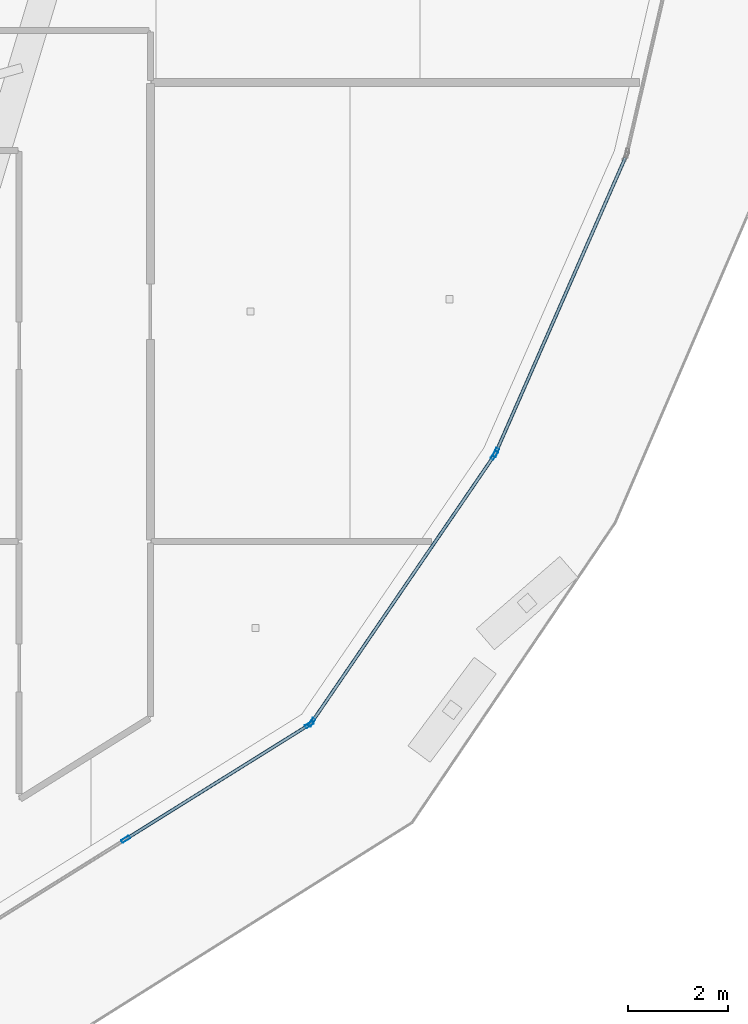
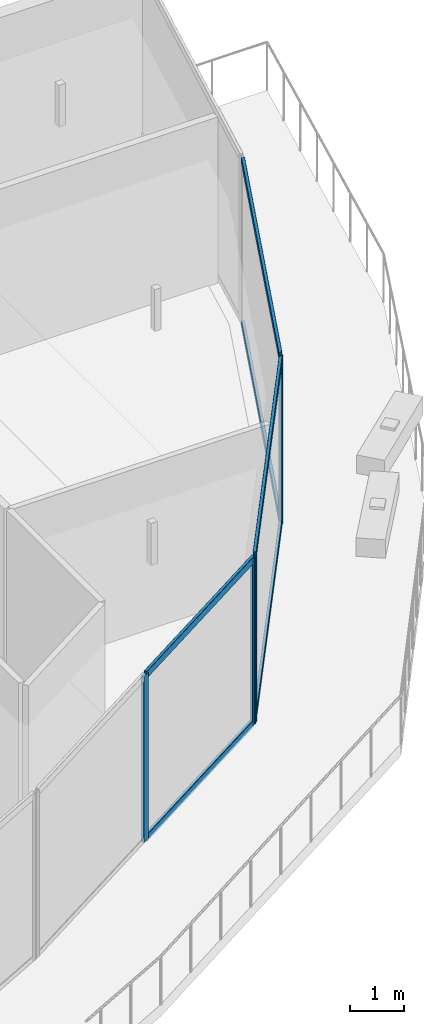
# One storey, part 9 of 35: 11 members, 3 elements without a shape of their own.
"""IFC4 building model written with IfcOpenShell, lengths in metres."""

from ifc_helpers import new_model, si_unit, direction, frame, origin, origin_2d, place, context, subcontext, project, spatial, hollow_rectangle, extrude, material, layer, layer_set, material_profile, profile_set, type_object, element, aggregate, save


model = new_model("IFC4")

# Units and contexts
model_context = context("Model", 3, precision=1e-05, world=origin(), true_north=direction((0.0, 1.0)))
body_context = subcontext(model_context, "Body", "Model", "MODEL_VIEW")
ifc_project = project(units=[si_unit("LENGTHUNIT", "METRE"), si_unit("AREAUNIT", "SQUARE_METRE"), si_unit("VOLUMEUNIT", "CUBIC_METRE"), si_unit("PLANEANGLEUNIT", "RADIAN"), si_unit("MASSUNIT", "GRAM", prefix="KILO")], contexts=[model_context])

# Site, building, storey
site_placement = place(None, origin())
site = spatial("IfcSite", under=ifc_project, at=site_placement, CompositionType="ELEMENT")
building_placement = place(site_placement, origin())
building = spatial("IfcBuilding", under=site, at=building_placement, Name="Qorvath Tower", CompositionType="ELEMENT")
storey_placement = place(building_placement, frame((0.0, 0.0, 166.5)))
storey = spatial("IfcBuildingStorey", under=building, at=storey_placement, Name="L38", CompositionType="ELEMENT", Elevation=166.5)

# Curtain wall, members
ifc_material_1 = material(Name="Anodised aluminium and triple low-E glass", Category="aluminium")
ifc_layer = layer(ifc_material_1, 0.179931640625)
ifc_layer_set = layer_set([ifc_layer], Name="CW-SYS-3")
curtain_wall_type = type_object("IfcCurtainWallType", Name="CW-SYS-3", PredefinedType="NOTDEFINED", material=ifc_layer_set)
curtain_wall_1_placement = place(storey_placement, origin())
curtain_wall_1 = element("IfcCurtainWall", 1, at=curtain_wall_1_placement, inside=storey, type_object=curtain_wall_type, Name="Curtain Wall CW-3 CW-T-L38-4.1", PredefinedType="NOTDEFINED")
ifc_material_2 = material(Name="Anodised aluminium 6063-T6", Category="aluminium")
ifc_material_profile_1 = material_profile(ifc_material_2, hollow_rectangle(XDim=0.06494140625, YDim=0.179931640625, WallThickness=0.00341796875, InnerFilletRadius=0.00341796875, OuterFilletRadius=0.007080078125, at=origin_2d()), Name="CWM 180x65")
ifc_profile_set_1 = profile_set([ifc_material_profile_1], Name="Anodised aluminium 6063-T6")
member_type_1 = type_object("IfcMemberType", Name="CWM-180", PredefinedType="MULLION", material=ifc_profile_set_1)
member_1_placement = place(storey_placement, frame((-8.484619140625, -24.669921875, 0.0), z_axis=(0.0, 0.0, 1.0), x_axis=(-0.529328282744, 0.848417096178, 0.0)))
member_1 = element("IfcMember", 2, at=member_1_placement, type_object=member_type_1, Name="CW-3 mullion 2", PredefinedType="MULLION", context=body_context, shape_type="SweptSolid", body=[
    extrude(hollow_rectangle(XDim=0.06494140625, YDim=0.179931640625, WallThickness=0.00341796875, InnerFilletRadius=0.00341796875, OuterFilletRadius=0.007080078125, at=origin_2d()), origin(), (0.0, 0.0, 1.0), 3.780029296875),
])
member_2_placement = place(storey_placement, frame((-4.826904296875, -22.387939453125, 0.0), z_axis=(0.0, 0.0, 1.0), x_axis=(-0.529328282744, 0.848417096178, 0.0)))
member_2 = element("IfcMember", 3, at=member_2_placement, type_object=member_type_1, Name="CW-3 mullion 3", PredefinedType="MULLION", context=body_context, shape_type="SweptSolid", body=[
    extrude(hollow_rectangle(XDim=0.06494140625, YDim=0.179931640625, WallThickness=0.00341796875, InnerFilletRadius=0.00341796875, OuterFilletRadius=0.007080078125, at=origin_2d()), origin(), (0.0, 0.0, 1.0), 3.780029296875),
])

curtain_wall_2_placement = place(storey_placement, origin())
curtain_wall_2 = element("IfcCurtainWall", 4, at=curtain_wall_2_placement, inside=storey, type_object=curtain_wall_type, Name="Curtain Wall CW-3 CW-T-L38-5.1", PredefinedType="NOTDEFINED")
member_3_placement = place(storey_placement, frame((-4.781005859375, -22.343994140625, 0.0), z_axis=(0.0, 0.0, 1.0), x_axis=(-0.82552478625, 0.564365862971, 0.0)))
member_3 = element("IfcMember", 5, at=member_3_placement, type_object=member_type_1, Name="CW-3 mullion 1", PredefinedType="MULLION", context=body_context, shape_type="SweptSolid", body=[
    extrude(hollow_rectangle(XDim=0.06494140625, YDim=0.179931640625, WallThickness=0.00341796875, InnerFilletRadius=0.00341796875, OuterFilletRadius=0.007080078125, at=origin_2d()), origin(), (0.0, 0.0, 1.0), 3.780029296875),
])
member_4_placement = place(storey_placement, frame((-1.146728515625, -17.028076171875, 0.0), z_axis=(0.0, 0.0, 1.0), x_axis=(-0.82552478625, 0.564365862971, 0.0)))
member_4 = element("IfcMember", 6, at=member_4_placement, type_object=member_type_1, Name="CW-3 mullion 2", PredefinedType="MULLION", context=body_context, shape_type="SweptSolid", body=[
    extrude(hollow_rectangle(XDim=0.06494140625, YDim=0.179931640625, WallThickness=0.00341796875, InnerFilletRadius=0.00341796875, OuterFilletRadius=0.007080078125, at=origin_2d()), origin(), (0.0, 0.0, 1.0), 3.780029296875),
])

# Curtain wall, member
curtain_wall_3_placement = place(storey_placement, origin())
curtain_wall_3 = element("IfcCurtainWall", 7, at=curtain_wall_3_placement, inside=storey, type_object=curtain_wall_type, Name="Curtain Wall CW-3 CW-T-L38-6.1", PredefinedType="NOTDEFINED")
member_5_placement = place(storey_placement, frame((-1.115234375, -16.971435546875, 0.0), z_axis=(0.0, 0.0, 1.0), x_axis=(-0.915629399612, 0.402023385597, 0.0)))
member_5 = element("IfcMember", 8, at=member_5_placement, type_object=member_type_1, Name="CW-3 mullion 1", PredefinedType="MULLION", context=body_context, shape_type="SweptSolid", body=[
    extrude(hollow_rectangle(XDim=0.06494140625, YDim=0.179931640625, WallThickness=0.00341796875, InnerFilletRadius=0.00341796875, OuterFilletRadius=0.007080078125, at=origin_2d()), origin(), (0.0, 0.0, 1.0), 3.780029296875),
])

# Member
ifc_material_3 = material(Name="Anodised aluminium 6063-T6", Category="aluminium")
ifc_material_profile_2 = material_profile(ifc_material_3, hollow_rectangle(XDim=0.06494140625, YDim=0.159912109375, WallThickness=0.00341796875, InnerFilletRadius=0.00341796875, OuterFilletRadius=0.007080078125, at=origin_2d()), Name="CWT 160x65")
ifc_profile_set_2 = profile_set([ifc_material_profile_2], Name="Anodised aluminium 6063-T6")
member_type_2 = type_object("IfcMemberType", Name="CWT-160", PredefinedType="USERDEFINED", material=ifc_profile_set_2)
member_6_placement = place(storey_placement, frame((-8.45703125, -24.65283203125, 0.032470703125), z_axis=(0.848424411171, 0.529316557959, 0.0), x_axis=(-0.529316557959, 0.848424411171, 0.0)))
member_6 = element("IfcMember", 9, at=member_6_placement, type_object=member_type_2, Name="CW-3 transom 2.1", ObjectType="TRANSOM", PredefinedType="USERDEFINED", context=body_context, shape_type="SweptSolid", body=[
    extrude(hollow_rectangle(XDim=0.06494140625, YDim=0.159912109375, WallThickness=0.00341796875, InnerFilletRadius=0.00341796875, OuterFilletRadius=0.007080078125, at=origin_2d()), origin(), (0.0, 0.0, 1.0), 4.24609375),
])

member_7_placement = place(storey_placement, frame((-8.45703125, -24.65283203125, 3.74755859375), z_axis=(0.848424411171, 0.529316557959, 0.0), x_axis=(-0.529316557959, 0.848424411171, 0.0)))
member_7 = element("IfcMember", 10, at=member_7_placement, type_object=member_type_2, Name="CW-3 transom 2.2", ObjectType="TRANSOM", PredefinedType="USERDEFINED", context=body_context, shape_type="SweptSolid", body=[
    extrude(hollow_rectangle(XDim=0.06494140625, YDim=0.159912109375, WallThickness=0.00341796875, InnerFilletRadius=0.00341796875, OuterFilletRadius=0.007080078125, at=origin_2d()), origin(), (0.0, 0.0, 1.0), 4.24609375),
])

aggregate(curtain_wall_1, [member_1, member_2, member_6, member_7])

member_8_placement = place(storey_placement, frame((-4.7626953125, -22.317138671875, 0.032470703125), z_axis=(0.564384562589, 0.825512002039, 0.0), x_axis=(-0.825512002039, 0.564384562589, 0.0)))
member_8 = element("IfcMember", 11, at=member_8_placement, type_object=member_type_2, Name="CW-3 transom 1.1", ObjectType="TRANSOM", PredefinedType="USERDEFINED", context=body_context, shape_type="SweptSolid", body=[
    extrude(hollow_rectangle(XDim=0.06494140625, YDim=0.159912109375, WallThickness=0.00341796875, InnerFilletRadius=0.00341796875, OuterFilletRadius=0.007080078125, at=origin_2d()), origin(), (0.0, 0.0, 1.0), 6.37451171875),
])

member_9_placement = place(storey_placement, frame((-4.7626953125, -22.317138671875, 3.74755859375), z_axis=(0.564384562589, 0.825512002039, 0.0), x_axis=(-0.825512002039, 0.564384562589, 0.0)))
member_9 = element("IfcMember", 12, at=member_9_placement, type_object=member_type_2, Name="CW-3 transom 1.2", ObjectType="TRANSOM", PredefinedType="USERDEFINED", context=body_context, shape_type="SweptSolid", body=[
    extrude(hollow_rectangle(XDim=0.06494140625, YDim=0.159912109375, WallThickness=0.00341796875, InnerFilletRadius=0.00341796875, OuterFilletRadius=0.007080078125, at=origin_2d()), origin(), (0.0, 0.0, 1.0), 6.37451171875),
])

aggregate(curtain_wall_2, [member_3, member_4, member_8, member_9])

member_10_placement = place(storey_placement, frame((-1.102294921875, -16.941650390625, 0.032470703125), z_axis=(0.402030003939, 0.915626493682, 0.0), x_axis=(-0.915626493682, 0.402030003939, 0.0)))
member_10 = element("IfcMember", 13, at=member_10_placement, type_object=member_type_2, Name="CW-3 transom 1.1", ObjectType="TRANSOM", PredefinedType="USERDEFINED", context=body_context, shape_type="SweptSolid", body=[
    extrude(hollow_rectangle(XDim=0.06494140625, YDim=0.159912109375, WallThickness=0.00341796875, InnerFilletRadius=0.00341796875, OuterFilletRadius=0.007080078125, at=origin_2d()), origin(), (0.0, 0.0, 1.0), 6.37451171875),
])

member_11_placement = place(storey_placement, frame((-1.102294921875, -16.941650390625, 3.74755859375), z_axis=(0.402030003939, 0.915626493682, 0.0), x_axis=(-0.915626493682, 0.402030003939, 0.0)))
member_11 = element("IfcMember", 14, at=member_11_placement, type_object=member_type_2, Name="CW-3 transom 1.2", ObjectType="TRANSOM", PredefinedType="USERDEFINED", context=body_context, shape_type="SweptSolid", body=[
    extrude(hollow_rectangle(XDim=0.06494140625, YDim=0.159912109375, WallThickness=0.00341796875, InnerFilletRadius=0.00341796875, OuterFilletRadius=0.007080078125, at=origin_2d()), origin(), (0.0, 0.0, 1.0), 6.37451171875),
])

aggregate(curtain_wall_3, [member_5, member_10, member_11])

save(model, "model.ifc")
